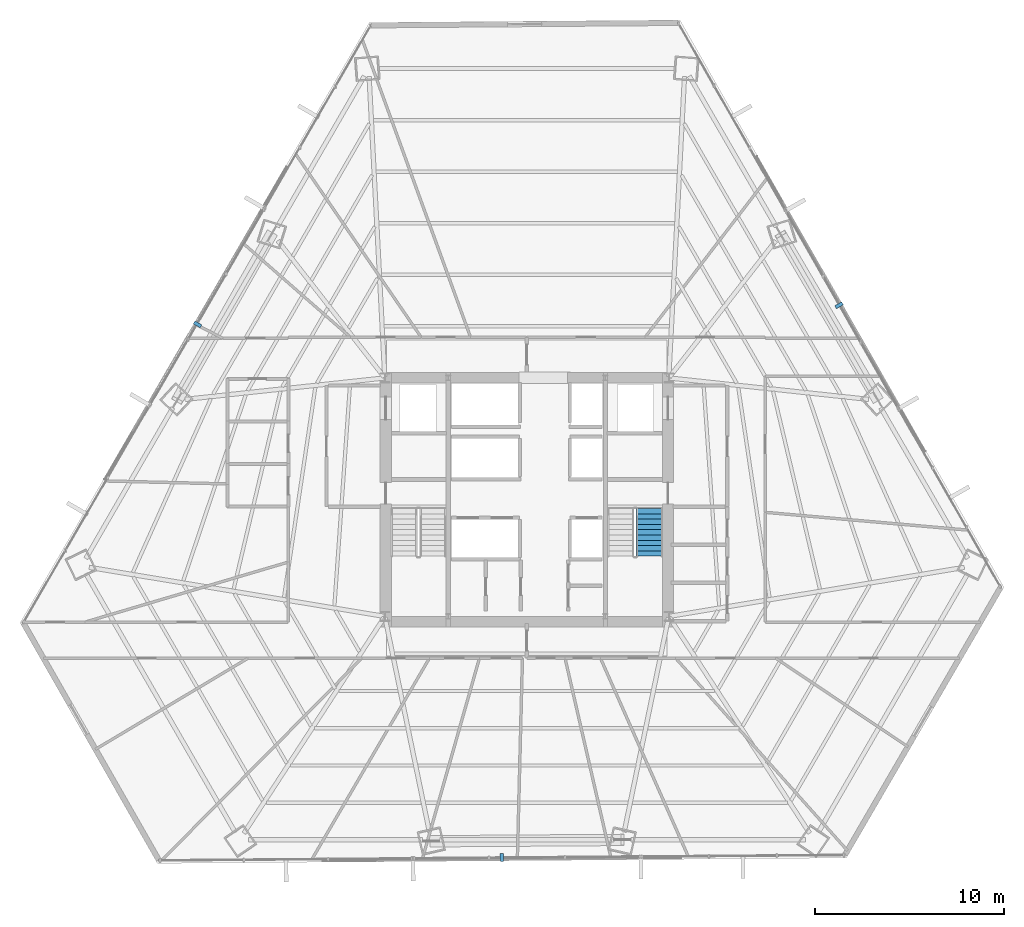
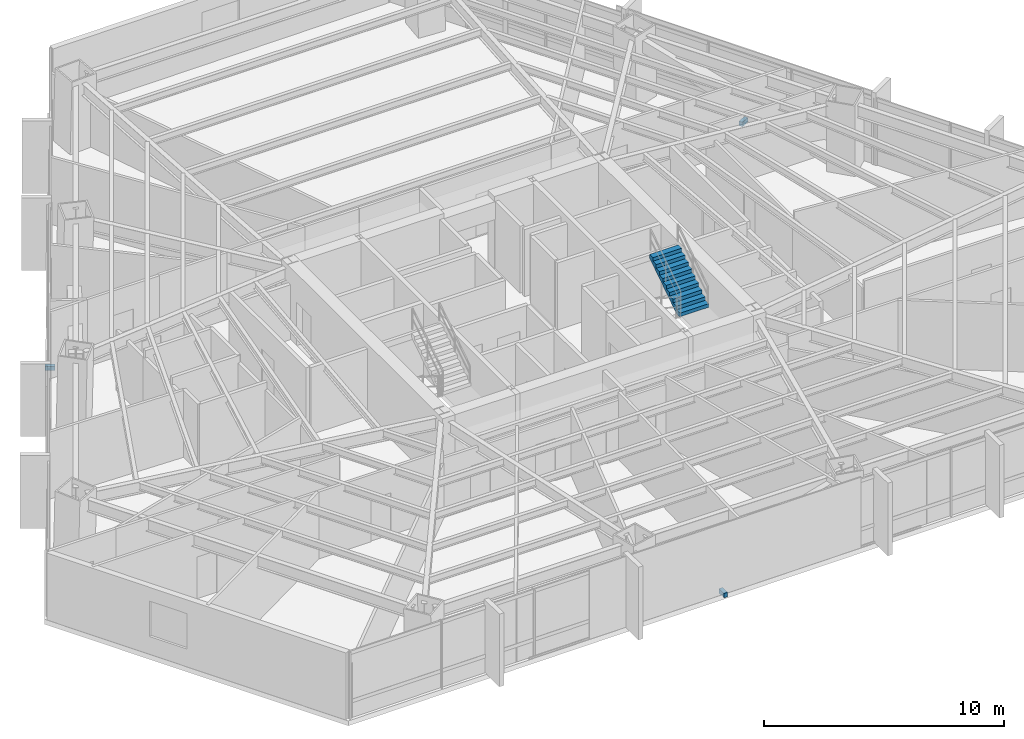
# One storey, part 33 of 36: 3 discrete accessories, 1 stair flight, 1 element without a shape of its own.
"""IFC4 building model written with IfcOpenShell, lengths in metres."""

import ifcopenshell
import ifcopenshell.guid

model = None  # the IFC model being written
_history = None  # IfcOwnerHistory: only IFC2X3 demands one
_inside = {}  # id of a spatial element -> (the spatial element, [elements in it])
_under = {}  # id of a project, library or spatial element -> (it, [spatial elements below it])
_declared = {}  # id of a project -> (the project, [libraries it declares])
_typed = {}  # id of a type object -> (the type object, [elements of that type])
_made_of = {}  # id of a material, layer set ... -> (it, [elements and type objects made of it])


def new_model(schema):
    """Start an empty IFC model of exactly this schema.

    Asked for "IFC4X3", IfcOpenShell would pick the latest addendum, in which some entities
    have other attributes; the version numbers below select the first issue.
    IFC2X3 requires an IfcOwnerHistory on every rooted entity: one is made here for all.
    """
    global model, _history
    if schema == "IFC4X3":
        model = ifcopenshell.file(schema_version=(4, 3, 0, 0))
    else:
        model = ifcopenshell.file(schema=schema)
    _inside.clear()
    _under.clear()
    _declared.clear()
    _typed.clear()
    _made_of.clear()
    _history = None
    if model.schema == "IFC2X3":
        org = make("IfcOrganization", Name="unknown")
        user = make(
            "IfcPersonAndOrganization",
            ThePerson=make("IfcPerson", FamilyName="unknown"),
            TheOrganization=org,
        )
        app = make(
            "IfcApplication",
            ApplicationDeveloper=org,
            Version="unknown",
            ApplicationFullName="unknown",
            ApplicationIdentifier="unknown",
        )
        _history = make(
            "IfcOwnerHistory",
            OwningUser=user,
            OwningApplication=app,
            ChangeAction="ADDED",
            CreationDate=0,
        )
    return model


def make(cls, **values):
    """One entity of the class cls with the attributes given. An attribute that is None is left unset."""
    return model.create_entity(
        cls, **{name: value for name, value in values.items() if value is not None}
    )


def rooted(cls, **values):
    """An entity with a GlobalId (a new one), such as an element, a storey or a relation."""
    return make(cls, GlobalId=ifcopenshell.guid.new(), OwnerHistory=_history, **values)


def si_unit(unit_type, name, prefix=None):
    """IfcSIUnit, for example si_unit("LENGTHUNIT", "METRE", prefix="MILLI")."""
    return make("IfcSIUnit", UnitType=unit_type, Prefix=prefix, Name=name)


def assignment(units):
    """IfcUnitAssignment: the units of a project."""
    return None if units is None else make("IfcUnitAssignment", Units=units)


def point(xyz):
    """IfcCartesianPoint."""
    return None if xyz is None else make("IfcCartesianPoint", Coordinates=xyz)


def direction(xyz):
    """IfcDirection."""
    return None if xyz is None else make("IfcDirection", DirectionRatios=xyz)


def frame(location, z_axis=None, x_axis=None):
    """IfcAxis2Placement3D, a coordinate frame: its origin and axes. An axis left out is left unset."""
    return make(
        "IfcAxis2Placement3D",
        Location=point(location),
        Axis=direction(z_axis),
        RefDirection=direction(x_axis),
    )


def frame_2d(location, x_axis=None):
    """IfcAxis2Placement2D, a coordinate frame in the plane: its origin and x axis."""
    return make(
        "IfcAxis2Placement2D", Location=point(location), RefDirection=direction(x_axis)
    )


def origin():
    """The frame at (0, 0, 0) with its axes left unset."""
    return frame((0.0, 0.0, 0.0))


def origin_2d():
    """The frame at (0, 0) in the plane with its x axis left unset."""
    return frame_2d((0.0, 0.0))


def place(relative_to, where):
    """IfcLocalPlacement: puts the frame where relative to a parent placement (None: the world)."""
    return make(
        "IfcLocalPlacement", PlacementRelTo=relative_to, RelativePlacement=where
    )


def context(
    kind, dimensions, precision=None, world=None, true_north=None, identifier=None
):
    """IfcGeometricRepresentationContext, for example the 3D "Model" context."""
    return make(
        "IfcGeometricRepresentationContext",
        ContextIdentifier=identifier,
        ContextType=kind,
        CoordinateSpaceDimension=dimensions,
        Precision=precision,
        WorldCoordinateSystem=world,
        TrueNorth=true_north,
    )


def subcontext(parent, identifier, kind, view, scale=None):
    """IfcGeometricRepresentationSubContext, for example "Body" below "Model"."""
    return make(
        "IfcGeometricRepresentationSubContext",
        ContextIdentifier=identifier,
        ContextType=kind,
        ParentContext=parent,
        TargetScale=scale,
        TargetView=view,
    )


def project(units=None, contexts=None):
    """IfcProject with its units and contexts."""
    return rooted(
        "IfcProject",
        Name="project",
        RepresentationContexts=contexts,
        UnitsInContext=assignment(units),
    )


def spatial(cls, under=None, at=None, **own):
    """A site, building, storey or space (cls), placed at a placement, below another one or the project."""
    s = rooted(cls, ObjectPlacement=at, **own)
    if under is not None:
        _under.setdefault(under.id(), (under, []))[1].append(s)
    return s


def polyline(points):
    """IfcPolyline through the points."""
    return make("IfcPolyline", Points=[point(p) for p in points])


def profile(cls, at=None, kind="AREA", **sizes):
    """A parametric profile (cls). Its sizes go by their IFC names, for example OverallWidth=200.0."""
    return make(cls, ProfileType=kind, Position=at, **sizes)


def rectangle(**sizes):
    """IfcRectangleProfileDef."""
    return profile("IfcRectangleProfileDef", **sizes)


def outline(outer, holes=None, kind="AREA"):
    """IfcArbitraryClosedProfileDef: a profile drawn as a closed curve; with holes, ...WithVoids."""
    if holes is None:
        return make("IfcArbitraryClosedProfileDef", ProfileType=kind, OuterCurve=outer)
    return make(
        "IfcArbitraryProfileDefWithVoids",
        ProfileType=kind,
        OuterCurve=outer,
        InnerCurves=holes,
    )


def extrude(swept, where, along, depth):
    """IfcExtrudedAreaSolid: the profile swept, set in the frame where, extruded along a direction by depth."""
    return make(
        "IfcExtrudedAreaSolid",
        SweptArea=swept,
        Position=where,
        ExtrudedDirection=direction(along),
        Depth=depth,
    )


def shape(context_of_items, identifier, shape_type, items):
    """IfcShapeRepresentation: the items that make up one representation, for example the "Body"."""
    return make(
        "IfcShapeRepresentation",
        ContextOfItems=context_of_items,
        RepresentationIdentifier=identifier,
        RepresentationType=shape_type,
        Items=items,
    )


def source(mapping_origin, context_of_items, identifier, shape_type, items):
    """IfcRepresentationMap: a shape defined once, which mapped items show again and again."""
    return make(
        "IfcRepresentationMap",
        MappingOrigin=mapping_origin,
        MappedRepresentation=shape(context_of_items, identifier, shape_type, items),
    )


def transform(
    local_origin,
    x_axis=None,
    y_axis=None,
    z_axis=None,
    scale=None,
    scale2=None,
    scale3=None,
    uniform=True,
):
    """IfcCartesianTransformationOperator3D, or its non-uniform kind. x_axis, y_axis, z_axis: its Axis1, 2, 3."""
    if uniform:
        return make(
            "IfcCartesianTransformationOperator3D",
            Axis1=direction(x_axis),
            Axis2=direction(y_axis),
            LocalOrigin=point(local_origin),
            Scale=scale,
            Axis3=direction(z_axis),
        )
    return make(
        "IfcCartesianTransformationOperator3DnonUniform",
        Axis1=direction(x_axis),
        Axis2=direction(y_axis),
        LocalOrigin=point(local_origin),
        Scale=scale,
        Axis3=direction(z_axis),
        Scale2=scale2,
        Scale3=scale3,
    )


def mapped(mapping_source, mapping_target):
    """IfcMappedItem: shows the shape of a source again, moved by a transform."""
    return make(
        "IfcMappedItem", MappingSource=mapping_source, MappingTarget=mapping_target
    )


def material(Name=None, Category=None):
    """IfcMaterial."""
    return make("IfcMaterial", Name=Name, Category=Category)


def made_of(thing, what):
    """Note that an element or type object is made of a material, layer set ...; save() writes the relation."""
    if what is not None:
        _made_of.setdefault(what.id(), (what, []))[1].append(thing)
    return thing


def type_object(cls, material=None, **own):
    """A type object (cls), such as IfcWallType, which elements share."""
    return made_of(rooted(cls, **own), material)


def type_shapes(of_type, sources):
    """Give a type object the sources (RepresentationMaps) that its elements show as mapped items."""
    of_type.RepresentationMaps = sources


def element(
    cls,
    number,
    at=None,
    inside=None,
    cuts=None,
    type_object=None,
    material=None,
    context=None,
    identifier="Body",
    shape_type=None,
    held_by="IfcProductDefinitionShape",
    body=None,
    shapes=None,
    **own,
):
    """One element of the class cls, such as IfcWall. Its Tag is "e" and its number.

    at: its placement. inside: the storey or other place that contains it. cuts: it is an
    opening in that element (IfcRelVoidsElement). A single representation is given by context,
    identifier, shape_type and body (its items); several are given by shapes. held_by: the class
    of the entity that holds the representations. save() writes the other relations.
    """
    e = rooted(cls, Tag="e%d" % number, ObjectPlacement=at, **own)
    if body is not None:
        shapes = [shape(context, identifier, shape_type, body)]
    if shapes is not None:
        e.Representation = make(held_by, Representations=shapes)
    if inside is not None:
        _inside.setdefault(inside.id(), (inside, []))[1].append(e)
    if cuts is not None:
        rooted(
            "IfcRelVoidsElement", RelatingBuildingElement=cuts, RelatedOpeningElement=e
        )
    if type_object is not None:
        _typed.setdefault(type_object.id(), (type_object, []))[1].append(e)
    return made_of(e, material)


def aggregate(whole, parts):
    """IfcRelAggregates: a whole, such as a stair, and the parts it consists of."""
    return rooted("IfcRelAggregates", RelatingObject=whole, RelatedObjects=parts)


def save(model, path):
    """Write the relations noted so far, then the file.

    IfcRelAggregates (storeys below a building ...), IfcRelContainedInSpatialStructure (elements
    in a storey), IfcRelDefinesByType, IfcRelAssociatesMaterial and IfcRelDeclares: one each for
    every whole, place, type object, material and project.
    """
    for whole, parts in _under.values():
        aggregate(whole, parts)
    for where, things in _inside.values():
        rooted(
            "IfcRelContainedInSpatialStructure",
            RelatedElements=things,
            RelatingStructure=where,
        )
    for kind, things in _typed.values():
        rooted("IfcRelDefinesByType", RelatedObjects=things, RelatingType=kind)
    for what, things in _made_of.values():
        rooted("IfcRelAssociatesMaterial", RelatedObjects=things, RelatingMaterial=what)
    for by, libraries in _declared.values():
        rooted("IfcRelDeclares", RelatingContext=by, RelatedDefinitions=libraries)
    model.write(path)


model = new_model("IFC4")

# Units and contexts
model_context = context("Model", 3, precision=1e-05, world=origin(), true_north=direction((0.0, 1.0)))
body_context = subcontext(model_context, "Body", "Model", "MODEL_VIEW")
ifc_project = project(units=[si_unit("LENGTHUNIT", "METRE"), si_unit("AREAUNIT", "SQUARE_METRE"), si_unit("VOLUMEUNIT", "CUBIC_METRE"), si_unit("PLANEANGLEUNIT", "RADIAN"), si_unit("MASSUNIT", "GRAM", prefix="KILO")], contexts=[model_context])

# Site, building, storey
site_placement = place(None, origin())
site = spatial("IfcSite", under=ifc_project, at=site_placement, CompositionType="ELEMENT")
building_placement = place(site_placement, origin())
building = spatial("IfcBuilding", under=site, at=building_placement, Name="Caelisora Broadcast Tower", CompositionType="ELEMENT")
storey_placement = place(building_placement, frame((0.0, 0.0, 64.10009765625)))
storey = spatial("IfcBuildingStorey", under=building, at=storey_placement, Name="L16", CompositionType="ELEMENT", Elevation=64.10009765625)

# Stair, stair flight
ifc_material_1 = material(Name="Concrete 40 MPa (AS 3600 N40)", Category="concrete")
stair_type = type_object("IfcStairType", Name="ST-2", PredefinedType="HALF_TURN_STAIR", material=ifc_material_1)
stair_placement = place(storey_placement, origin())
stair = element("IfcStair", 1, at=stair_placement, inside=storey, type_object=stair_type, Name="L16 East Fire-Isolated Tower Stair", PredefinedType="HALF_TURN_STAIR")
stair_flight_type = type_object("IfcStairFlightType", Name="STF-2", PredefinedType="STRAIGHT", material=ifc_material_1)
stair_flight_placement = place(storey_placement, frame((44.47998046875, 20.580078125, 1.824951171875), z_axis=(0.0, 0.0, 1.0), x_axis=(0.0, 1.0, 0.0)))
stair_flight = element("IfcStairFlight", 2, at=stair_flight_placement, type_object=stair_flight_type, Name="ST-2 flight 2", NumberOfRisers=10, NumberOfTreads=9, PredefinedType="STRAIGHT", RiserHeight=0.1825, TreadLength=0.28, context=body_context, shape_type="SweptSolid", body=[
    extrude(outline(polyline([(0.0, 0.0), (0.0, 0.1826171875), (0.280029296875, 0.1826171875), (0.280029296875, 0.364990234375), (0.56005859375, 0.364990234375), (0.56005859375, 0.547607421875), (0.840087890625, 0.547607421875), (0.840087890625, 0.72998046875), (1.1201171875, 0.72998046875), (1.1201171875, 0.91259765625), (1.39990234375, 0.91259765625), (1.39990234375, 1.094970703125), (1.679931640625, 1.094970703125), (1.679931640625, 1.277587890625), (1.9599609375, 1.277587890625), (1.9599609375, 1.4599609375), (2.239990234375, 1.4599609375), (2.239990234375, 1.642578125), (2.52001953125, 1.642578125), (2.52001953125, 1.824951171875), (2.52001953125, 1.463623046875), (0.2744140625, 0.0), (0.0, 0.0)])), frame((0.0, 0.699951171875, 0.0), z_axis=(0.0, -1.0, 0.0), x_axis=(1.0, 0.0, 0.0)), (0.0, 0.0, 1.0), 1.39990234375),
])
aggregate(stair, [stair_flight])

# Discrete accessories
ifc_material_2 = material(Name="Steel Grade 350 (AS/NZS 3679.1)", Category="steel")
discrete_accessory_type = type_object("IfcDiscreteAccessoryType", Name="BRK-1", PredefinedType="BRACKET", material=ifc_material_2)
shared_shape = source(origin(), body_context, "Body", "SweptSolid", [
    extrude(rectangle(XDim=0.179931640625, YDim=0.419921875, at=origin_2d()), origin(), (0.0, 0.0, 1.0), 0.219970703125),
])
type_shapes(discrete_accessory_type, [shared_shape])
for number, where, z_axis, x_axis, name in (
    (3, (20.610107421875, 32.82861328125, -0.16015625), (0.0, 0.0, 1.0), (-0.50286909456, -0.864362582332, 0.0), "L16 solar screen outrigger bracket #1"),
    (4, (36.68701171875, 4.677001953125, -0.16015625), (0.0, 0.0, 1.0), (0.99996777165, 0.00802842831, 0.0), "L16 solar screen outrigger bracket #2"),
    (5, (54.494140625, 33.835205078125, -0.16015625), (0.0, 0.0, 1.0), (-0.495913414893, 0.868371973828, 0.0), "L16 solar screen outrigger bracket #3"),
):
    element("IfcDiscreteAccessory", number, at=place(storey_placement, frame(where, z_axis=z_axis, x_axis=x_axis)), inside=storey, type_object=discrete_accessory_type, Name=name, PredefinedType="BRACKET", context=body_context, shape_type="MappedRepresentation", body=[
        mapped(shared_shape, transform((0.0, 0.0, 0.0), scale=1.0)),
    ])

save(model, "model.ifc")
